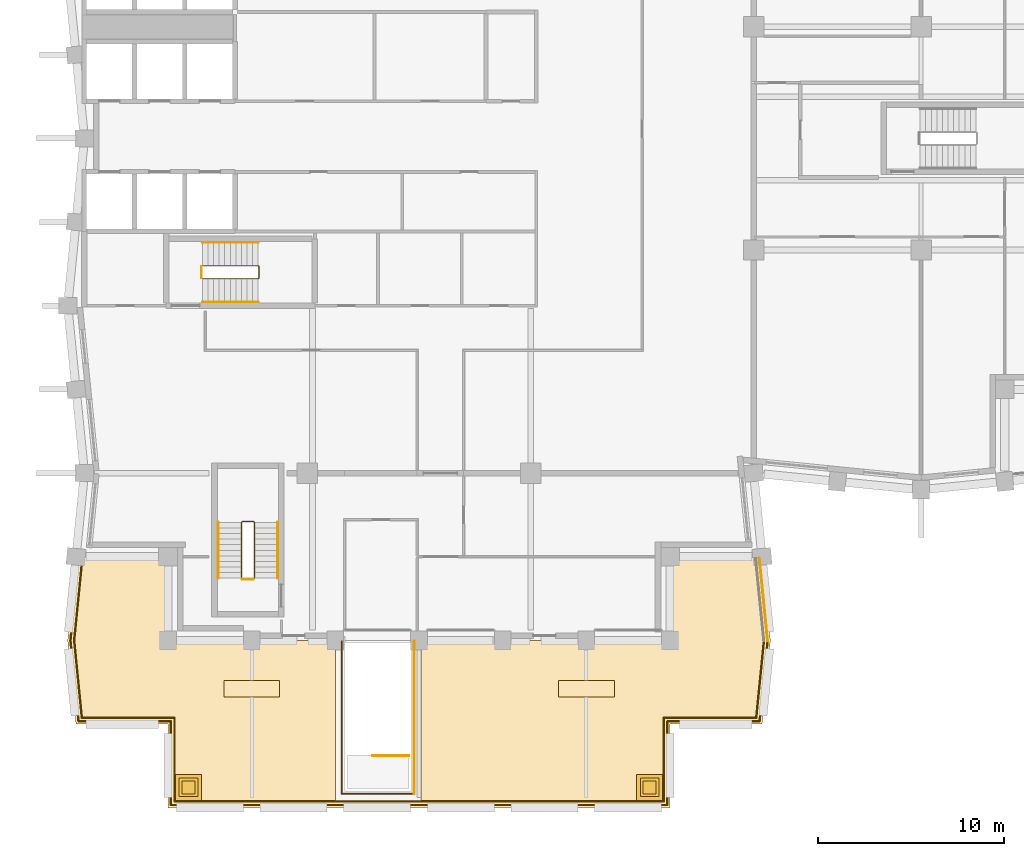
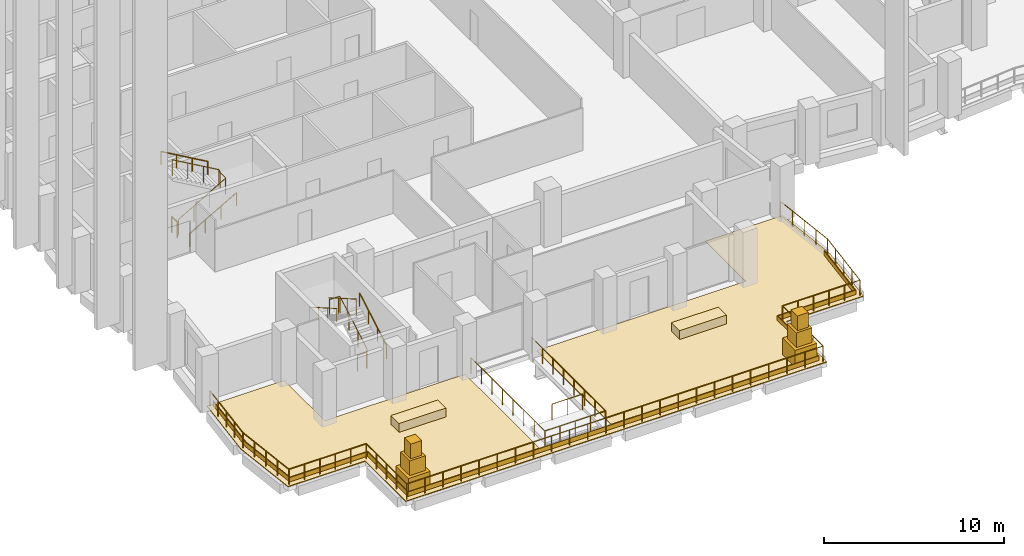
# One storey, part 16 of 19: 13 railings, 10 coverings.
"""IFC4 building model written with IfcOpenShell, lengths in metres."""

from ifc_helpers import new_model, si_unit, direction, frame, origin, origin_2d, place, context, subcontext, project, spatial, polyline, rectangle, circle, outline, extrude, material, layer, layer_set, type_object, element, save


model = new_model("IFC4")

# Units and contexts
model_context = context("Model", 3, precision=1e-05, world=origin(), true_north=direction((0.0, 1.0)))
body_context = subcontext(model_context, "Body", "Model", "MODEL_VIEW")
ifc_project = project(units=[si_unit("LENGTHUNIT", "METRE"), si_unit("AREAUNIT", "SQUARE_METRE"), si_unit("VOLUMEUNIT", "CUBIC_METRE"), si_unit("PLANEANGLEUNIT", "RADIAN"), si_unit("MASSUNIT", "GRAM", prefix="KILO")], contexts=[model_context])

# Site, building, storey
site_placement = place(None, origin())
site = spatial("IfcSite", under=ifc_project, at=site_placement, CompositionType="ELEMENT")
building_placement = place(site_placement, origin())
building = spatial("IfcBuilding", under=site, at=building_placement, Name="Brondeck Convention Tower", CompositionType="ELEMENT")
storey_placement = place(building_placement, frame((0.0, 0.0, 198.800048828125)))
storey = spatial("IfcBuildingStorey", under=building, at=storey_placement, Name="L48", CompositionType="ELEMENT", Elevation=198.800048828125)

# Railings
ifc_material_1 = material(Name="Steel S355, bronze painted", Category="steel")
railing_type_1 = type_object("IfcRailingType", Name="Guard, bronze steel rail and posts", PredefinedType="GUARDRAIL", material=ifc_material_1)
railing_1_placement = place(storey_placement, frame((17.75, 9.75, 0.0)))
element("IfcRailing", 1, at=railing_1_placement, inside=storey, type_object=railing_type_1, Name="ENV-S2-1-WRL1", PredefinedType="GUARDRAIL", context=body_context, shape_type="SweptSolid", body=[
    extrude(circle(Radius=0.02490234375, at=origin_2d()), frame((0.0, 0.0, 1.0751953125), z_axis=(-1.0, 0.0, 0.0), x_axis=(0.0, -1.0, 0.0)), (0.0, 0.0, 1.0), 3.89990234375),
    extrude(circle(Radius=0.02490234375, at=origin_2d()), frame((-3.89990234375, 0.0, 1.0751953125), z_axis=(0.0, 1.0, 0.0), x_axis=(-1.0, 0.0, 0.0)), (0.0, 0.0, 1.0), 8.199951171875),
    extrude(circle(Radius=0.02490234375, at=origin_2d()), origin(), (0.0, 0.0, 1.0), 1.050048828125),
    extrude(circle(Radius=0.02490234375, at=origin_2d()), frame((-0.97509765625, 0.0, 0.0)), (0.0, 0.0, 1.0), 1.050048828125),
    extrude(circle(Radius=0.02490234375, at=origin_2d()), frame((-1.949951171875, 0.0, 0.0)), (0.0, 0.0, 1.0), 1.050048828125),
    extrude(circle(Radius=0.02490234375, at=origin_2d()), frame((-2.9248046875, 0.0, 0.0)), (0.0, 0.0, 1.0), 1.050048828125),
    extrude(circle(Radius=0.02490234375, at=origin_2d()), frame((-3.89990234375, 0.0, 0.0)), (0.0, 0.0, 1.0), 1.050048828125),
    extrude(circle(Radius=0.02490234375, at=origin_2d()), frame((-3.89990234375, 1.17138671875, 0.0)), (0.0, 0.0, 1.0), 1.050048828125),
    extrude(circle(Radius=0.02490234375, at=origin_2d()), frame((-3.89990234375, 2.3427734375, 0.0)), (0.0, 0.0, 1.0), 1.050048828125),
    extrude(circle(Radius=0.02490234375, at=origin_2d()), frame((-3.89990234375, 3.51416015625, 0.0)), (0.0, 0.0, 1.0), 1.050048828125),
    extrude(circle(Radius=0.02490234375, at=origin_2d()), frame((-3.89990234375, 4.685791015625, 0.0)), (0.0, 0.0, 1.0), 1.050048828125),
    extrude(circle(Radius=0.02490234375, at=origin_2d()), frame((-3.89990234375, 5.857177734375, 0.0)), (0.0, 0.0, 1.0), 1.050048828125),
    extrude(circle(Radius=0.02490234375, at=origin_2d()), frame((-3.89990234375, 7.028564453125, 0.0)), (0.0, 0.0, 1.0), 1.050048828125),
    extrude(circle(Radius=0.02490234375, at=origin_2d()), frame((-3.89990234375, 8.199951171875, 0.0)), (0.0, 0.0, 1.0), 1.050048828125),
])
railing_2_placement = place(storey_placement, frame((17.75, 17.949951171875, 0.0)))
element("IfcRailing", 2, at=railing_2_placement, inside=storey, type_object=railing_type_1, Name="ENV-S2-1-WRL2", PredefinedType="GUARDRAIL", context=body_context, shape_type="SweptSolid", body=[
    extrude(circle(Radius=0.02490234375, at=origin_2d()), frame((0.0, 0.0, 1.0751953125), z_axis=(0.0, -1.0, 0.0), x_axis=(1.0, 0.0, 0.0)), (0.0, 0.0, 1.0), 8.199951171875),
    extrude(circle(Radius=0.02490234375, at=origin_2d()), origin(), (0.0, 0.0, 1.0), 1.050048828125),
    extrude(circle(Radius=0.02490234375, at=origin_2d()), frame((0.0, -1.17138671875, 0.0)), (0.0, 0.0, 1.0), 1.050048828125),
    extrude(circle(Radius=0.02490234375, at=origin_2d()), frame((0.0, -2.3427734375, 0.0)), (0.0, 0.0, 1.0), 1.050048828125),
    extrude(circle(Radius=0.02490234375, at=origin_2d()), frame((0.0, -3.51416015625, 0.0)), (0.0, 0.0, 1.0), 1.050048828125),
    extrude(circle(Radius=0.02490234375, at=origin_2d()), frame((0.0, -4.685791015625, 0.0)), (0.0, 0.0, 1.0), 1.050048828125),
    extrude(circle(Radius=0.02490234375, at=origin_2d()), frame((0.0, -5.857177734375, 0.0)), (0.0, 0.0, 1.0), 1.050048828125),
    extrude(circle(Radius=0.02490234375, at=origin_2d()), frame((0.0, -7.028564453125, 0.0)), (0.0, 0.0, 1.0), 1.050048828125),
    extrude(circle(Radius=0.02490234375, at=origin_2d()), frame((0.0, -8.199951171875, 0.0)), (0.0, 0.0, 1.0), 1.050048828125),
])
railing_3_placement = place(storey_placement, frame((36.750732421875, 18.014892578125, 0.0)))
element("IfcRailing", 3, at=railing_3_placement, inside=storey, type_object=railing_type_1, Name="ENV-S2-1a-RL1", PredefinedType="GUARDRAIL", context=body_context, shape_type="SweptSolid", body=[
    extrude(circle(Radius=0.02490234375, at=origin_2d()), frame((0.0, 0.0, 1.0751953125), z_axis=(-0.09950922931, -0.995036639166, 0.0), x_axis=(0.995036639166, -0.09950922931, 0.0)), (0.0, 0.0, 1.0), 4.38671875),
    extrude(circle(Radius=0.02490234375, at=origin_2d()), frame((-0.4365234375, -4.364990234375, 1.0751953125), z_axis=(-1.0, 0.0, 0.0), x_axis=(0.0, -1.0, 0.0)), (0.0, 0.0, 1.0), 4.964111328125),
    extrude(circle(Radius=0.02490234375, at=origin_2d()), frame((-5.400634765625, -4.364990234375, 1.0751953125), z_axis=(0.0, -1.0, 0.0), x_axis=(1.0, 0.0, 0.0)), (0.0, 0.0, 1.0), 4.5),
    extrude(circle(Radius=0.02490234375, at=origin_2d()), frame((-5.400634765625, -8.864990234375, 1.0751953125), z_axis=(-1.0, 0.0, 0.0), x_axis=(0.0, -1.0, 0.0)), (0.0, 0.0, 1.0), 26.7001953125),
    extrude(circle(Radius=0.02490234375, at=origin_2d()), frame((-32.100830078125, -8.864990234375, 1.0751953125), z_axis=(0.0, 1.0, 0.0), x_axis=(-1.0, 0.0, 0.0)), (0.0, 0.0, 1.0), 4.5),
    extrude(circle(Radius=0.02490234375, at=origin_2d()), frame((-32.100830078125, -4.364990234375, 1.0751953125), z_axis=(-1.0, 0.0, 0.0), x_axis=(0.0, -1.0, 0.0)), (0.0, 0.0, 1.0), 4.964111328125),
    extrude(circle(Radius=0.02490234375, at=origin_2d()), frame((-37.06494140625, -4.364990234375, 1.0751953125), z_axis=(-0.099514777318, 0.995036084318, 0.0), x_axis=(-0.995036084318, -0.099514777318, 0.0)), (0.0, 0.0, 1.0), 4.371826171875),
    extrude(circle(Radius=0.02490234375, at=origin_2d()), frame((-37.5, -0.014892578125, 1.0751953125), z_axis=(0.099519987798, 0.995035563198, 0.0), x_axis=(-0.995035563198, 0.099519987798, 0.0)), (0.0, 0.0, 1.0), 4.45751953125),
    extrude(circle(Radius=0.02490234375, at=origin_2d()), origin(), (0.0, 0.0, 1.0), 1.050048828125),
    extrude(circle(Radius=0.02490234375, at=origin_2d()), frame((-0.109130859375, -1.09130859375, 0.0)), (0.0, 0.0, 1.0), 1.050048828125),
    extrude(circle(Radius=0.02490234375, at=origin_2d()), frame((-0.21826171875, -2.1826171875, 0.0)), (0.0, 0.0, 1.0), 1.050048828125),
    extrude(circle(Radius=0.02490234375, at=origin_2d()), frame((-0.327392578125, -3.273681640625, 0.0)), (0.0, 0.0, 1.0), 1.050048828125),
    extrude(circle(Radius=0.02490234375, at=origin_2d()), frame((-0.4365234375, -4.364990234375, 0.0)), (0.0, 0.0, 1.0), 1.050048828125),
    extrude(circle(Radius=0.02490234375, at=origin_2d()), frame((-1.429443359375, -4.364990234375, 0.0)), (0.0, 0.0, 1.0), 1.050048828125),
    extrude(circle(Radius=0.02490234375, at=origin_2d()), frame((-2.422119140625, -4.364990234375, 0.0)), (0.0, 0.0, 1.0), 1.050048828125),
    extrude(circle(Radius=0.02490234375, at=origin_2d()), frame((-3.4150390625, -4.364990234375, 0.0)), (0.0, 0.0, 1.0), 1.050048828125),
    extrude(circle(Radius=0.02490234375, at=origin_2d()), frame((-4.40771484375, -4.364990234375, 0.0)), (0.0, 0.0, 1.0), 1.050048828125),
    extrude(circle(Radius=0.02490234375, at=origin_2d()), frame((-5.400634765625, -4.364990234375, 0.0)), (0.0, 0.0, 1.0), 1.050048828125),
    extrude(circle(Radius=0.02490234375, at=origin_2d()), frame((-5.400634765625, -5.489990234375, 0.0)), (0.0, 0.0, 1.0), 1.050048828125),
    extrude(circle(Radius=0.02490234375, at=origin_2d()), frame((-5.400634765625, -6.614990234375, 0.0)), (0.0, 0.0, 1.0), 1.050048828125),
    extrude(circle(Radius=0.02490234375, at=origin_2d()), frame((-5.400634765625, -7.739990234375, 0.0)), (0.0, 0.0, 1.0), 1.050048828125),
    extrude(circle(Radius=0.02490234375, at=origin_2d()), frame((-5.400634765625, -8.864990234375, 0.0)), (0.0, 0.0, 1.0), 1.050048828125),
    extrude(circle(Radius=0.02490234375, at=origin_2d()), frame((-6.5615234375, -8.864990234375, 0.0)), (0.0, 0.0, 1.0), 1.050048828125),
    extrude(circle(Radius=0.02490234375, at=origin_2d()), frame((-7.722412109375, -8.864990234375, 0.0)), (0.0, 0.0, 1.0), 1.050048828125),
    extrude(circle(Radius=0.02490234375, at=origin_2d()), frame((-8.88330078125, -8.864990234375, 0.0)), (0.0, 0.0, 1.0), 1.050048828125),
    extrude(circle(Radius=0.02490234375, at=origin_2d()), frame((-10.044189453125, -8.864990234375, 0.0)), (0.0, 0.0, 1.0), 1.050048828125),
    extrude(circle(Radius=0.02490234375, at=origin_2d()), frame((-11.205078125, -8.864990234375, 0.0)), (0.0, 0.0, 1.0), 1.050048828125),
    extrude(circle(Radius=0.02490234375, at=origin_2d()), frame((-12.365966796875, -8.864990234375, 0.0)), (0.0, 0.0, 1.0), 1.050048828125),
    extrude(circle(Radius=0.02490234375, at=origin_2d()), frame((-13.52685546875, -8.864990234375, 0.0)), (0.0, 0.0, 1.0), 1.050048828125),
    extrude(circle(Radius=0.02490234375, at=origin_2d()), frame((-14.687744140625, -8.864990234375, 0.0)), (0.0, 0.0, 1.0), 1.050048828125),
    extrude(circle(Radius=0.02490234375, at=origin_2d()), frame((-15.8486328125, -8.864990234375, 0.0)), (0.0, 0.0, 1.0), 1.050048828125),
    extrude(circle(Radius=0.02490234375, at=origin_2d()), frame((-17.009521484375, -8.864990234375, 0.0)), (0.0, 0.0, 1.0), 1.050048828125),
    extrude(circle(Radius=0.02490234375, at=origin_2d()), frame((-18.17041015625, -8.864990234375, 0.0)), (0.0, 0.0, 1.0), 1.050048828125),
    extrude(circle(Radius=0.02490234375, at=origin_2d()), frame((-19.3310546875, -8.864990234375, 0.0)), (0.0, 0.0, 1.0), 1.050048828125),
    extrude(circle(Radius=0.02490234375, at=origin_2d()), frame((-20.491943359375, -8.864990234375, 0.0)), (0.0, 0.0, 1.0), 1.050048828125),
    extrude(circle(Radius=0.02490234375, at=origin_2d()), frame((-21.65283203125, -8.864990234375, 0.0)), (0.0, 0.0, 1.0), 1.050048828125),
    extrude(circle(Radius=0.02490234375, at=origin_2d()), frame((-22.813720703125, -8.864990234375, 0.0)), (0.0, 0.0, 1.0), 1.050048828125),
    extrude(circle(Radius=0.02490234375, at=origin_2d()), frame((-23.974609375, -8.864990234375, 0.0)), (0.0, 0.0, 1.0), 1.050048828125),
    extrude(circle(Radius=0.02490234375, at=origin_2d()), frame((-25.135498046875, -8.864990234375, 0.0)), (0.0, 0.0, 1.0), 1.050048828125),
    extrude(circle(Radius=0.02490234375, at=origin_2d()), frame((-26.29638671875, -8.864990234375, 0.0)), (0.0, 0.0, 1.0), 1.050048828125),
    extrude(circle(Radius=0.02490234375, at=origin_2d()), frame((-27.457275390625, -8.864990234375, 0.0)), (0.0, 0.0, 1.0), 1.050048828125),
    extrude(circle(Radius=0.02490234375, at=origin_2d()), frame((-28.6181640625, -8.864990234375, 0.0)), (0.0, 0.0, 1.0), 1.050048828125),
    extrude(circle(Radius=0.02490234375, at=origin_2d()), frame((-29.779052734375, -8.864990234375, 0.0)), (0.0, 0.0, 1.0), 1.050048828125),
    extrude(circle(Radius=0.02490234375, at=origin_2d()), frame((-30.93994140625, -8.864990234375, 0.0)), (0.0, 0.0, 1.0), 1.050048828125),
    extrude(circle(Radius=0.02490234375, at=origin_2d()), frame((-32.100830078125, -8.864990234375, 0.0)), (0.0, 0.0, 1.0), 1.050048828125),
    extrude(circle(Radius=0.02490234375, at=origin_2d()), frame((-32.100830078125, -7.739990234375, 0.0)), (0.0, 0.0, 1.0), 1.050048828125),
    extrude(circle(Radius=0.02490234375, at=origin_2d()), frame((-32.100830078125, -6.614990234375, 0.0)), (0.0, 0.0, 1.0), 1.050048828125),
    extrude(circle(Radius=0.02490234375, at=origin_2d()), frame((-32.100830078125, -5.489990234375, 0.0)), (0.0, 0.0, 1.0), 1.050048828125),
    extrude(circle(Radius=0.02490234375, at=origin_2d()), frame((-32.100830078125, -4.364990234375, 0.0)), (0.0, 0.0, 1.0), 1.050048828125),
    extrude(circle(Radius=0.02490234375, at=origin_2d()), frame((-33.09375, -4.364990234375, 0.0)), (0.0, 0.0, 1.0), 1.050048828125),
    extrude(circle(Radius=0.02490234375, at=origin_2d()), frame((-34.08642578125, -4.364990234375, 0.0)), (0.0, 0.0, 1.0), 1.050048828125),
    extrude(circle(Radius=0.02490234375, at=origin_2d()), frame((-35.079345703125, -4.364990234375, 0.0)), (0.0, 0.0, 1.0), 1.050048828125),
    extrude(circle(Radius=0.02490234375, at=origin_2d()), frame((-36.072021484375, -4.364990234375, 0.0)), (0.0, 0.0, 1.0), 1.050048828125),
    extrude(circle(Radius=0.02490234375, at=origin_2d()), frame((-37.06494140625, -4.364990234375, 0.0)), (0.0, 0.0, 1.0), 1.050048828125),
    extrude(circle(Radius=0.02490234375, at=origin_2d()), frame((-37.173828125, -3.27734375, 0.0)), (0.0, 0.0, 1.0), 1.050048828125),
    extrude(circle(Radius=0.02490234375, at=origin_2d()), frame((-37.282470703125, -2.18994140625, 0.0)), (0.0, 0.0, 1.0), 1.050048828125),
    extrude(circle(Radius=0.02490234375, at=origin_2d()), frame((-37.39111328125, -1.1025390625, 0.0)), (0.0, 0.0, 1.0), 1.050048828125),
    extrude(circle(Radius=0.02490234375, at=origin_2d()), frame((-37.5, -0.014892578125, 0.0)), (0.0, 0.0, 1.0), 1.050048828125),
    extrude(circle(Radius=0.02490234375, at=origin_2d()), frame((-37.38916015625, 1.093994140625, 0.0)), (0.0, 0.0, 1.0), 1.050048828125),
    extrude(circle(Radius=0.02490234375, at=origin_2d()), frame((-37.2783203125, 2.20263671875, 0.0)), (0.0, 0.0, 1.0), 1.050048828125),
    extrude(circle(Radius=0.02490234375, at=origin_2d()), frame((-37.167236328125, 3.3115234375, 0.0)), (0.0, 0.0, 1.0), 1.050048828125),
    extrude(circle(Radius=0.02490234375, at=origin_2d()), frame((-37.056396484375, 4.42041015625, 0.0)), (0.0, 0.0, 1.0), 1.050048828125),
])
railing_4_placement = place(storey_placement, frame((36.3056640625, 22.435302734375, 0.0)))
element("IfcRailing", 4, at=railing_4_placement, inside=storey, type_object=railing_type_1, Name="ENV-S2-1b-RL1", PredefinedType="GUARDRAIL", context=body_context, shape_type="SweptSolid", body=[
    extrude(circle(Radius=0.02490234375, at=origin_2d()), frame((0.0, 0.0, 1.0751953125), z_axis=(0.099514528586, -0.995036109194, 0.0), x_axis=(0.995036109194, 0.099514528586, 0.0)), (0.0, 0.0, 1.0), 4.472412109375),
    extrude(circle(Radius=0.02490234375, at=origin_2d()), origin(), (0.0, 0.0, 1.0), 1.050048828125),
    extrude(circle(Radius=0.02490234375, at=origin_2d()), frame((0.111328125, -1.112548828125, 0.0)), (0.0, 0.0, 1.0), 1.050048828125),
    extrude(circle(Radius=0.02490234375, at=origin_2d()), frame((0.22265625, -2.22509765625, 0.0)), (0.0, 0.0, 1.0), 1.050048828125),
    extrude(circle(Radius=0.02490234375, at=origin_2d()), frame((0.333740234375, -3.337646484375, 0.0)), (0.0, 0.0, 1.0), 1.050048828125),
    extrude(circle(Radius=0.02490234375, at=origin_2d()), frame((0.445068359375, -4.4501953125, 0.0)), (0.0, 0.0, 1.0), 1.050048828125),
])

# Coverings
ifc_material_2 = material(Name="Aluminium, bronze anodised planter with soil", Category="aluminium")
ifc_layer_1 = layer(ifc_material_2, 0.199951171875)
ifc_layer_set_1 = layer_set([ifc_layer_1], Name="Roof planter")
covering_type_1 = type_object("IfcCoveringType", Name="Roof planter", PredefinedType="USERDEFINED", material=ifc_layer_set_1)
for number, where, z_axis, x_axis, name in (
    (5, (9.0, 15.39990234375, 0.0498046875), (0.0, 0.0, 1.0), (1.0, 0.0, 0.0), "ENV-S2-1-PL01"),
    (6, (27.0, 15.39990234375, 0.0498046875), (0.0, 0.0, 1.0), (1.0, 0.0, 0.0), "ENV-S2-1-PL02"),
):
    element("IfcCovering", number, at=place(storey_placement, frame(where, z_axis=z_axis, x_axis=x_axis)), inside=storey, type_object=covering_type_1, Name=name, ObjectType="PLANTER", PredefinedType="USERDEFINED", context=body_context, shape_type="SweptSolid", body=[
        extrude(rectangle(XDim=3.0, YDim=0.89990234375, at=origin_2d()), origin(), (0.0, 0.0, 1.0), 0.60009765625),
    ])
ifc_material_3 = material(Name="Aluminium, bronze anodised", Category="aluminium")
ifc_layer_2 = layer(ifc_material_3, 0.050048828125)
ifc_layer_set_2 = layer_set([ifc_layer_2], Name="Snow retention bar")
covering_type_2 = type_object("IfcCoveringType", Name="Snow retention bar", PredefinedType="MOLDING", material=ifc_layer_set_2)
covering_1_placement = place(storey_placement, frame((0.0, 0.0, 0.050048828125)))
element("IfcCovering", 7, at=covering_1_placement, inside=storey, type_object=covering_type_2, Name="ENV-S2-1a-SR1", PredefinedType="MOLDING", context=body_context, shape_type="SweptSolid", body=[
    extrude(outline(polyline([(36.156005859375, 13.824951171875), (36.57666015625, 18.0322265625), (36.52685546875, 18.037353515625), (36.110595703125, 13.875), (31.125, 13.875), (31.125, 9.375), (4.875, 9.375), (4.875, 13.875), (-0.110595703125, 13.875), (-0.523193359375, 18.0), (-0.081787109375, 22.4130859375), (-0.131591796875, 22.41796875), (-0.573486328125, 18.0), (-0.156005859375, 13.824951171875), (4.824951171875, 13.824951171875), (4.824951171875, 9.324951171875), (31.175048828125, 9.324951171875), (31.175048828125, 13.824951171875), (36.156005859375, 13.824951171875)])), origin(), (0.0, 0.0, 1.0), 0.2998046875),
])

# Railings
ifc_material_4 = material(Name="Steel S355", Category="steel")
railing_type_2 = type_object("IfcRailingType", Name="Stair guard 1100", PredefinedType="GUARDRAIL", material=ifc_material_4)
railing_5_placement = place(storey_placement, frame((6.35009765625, 37.449951171875, 0.172607421875)))
element("IfcRailing", 8, at=railing_5_placement, inside=storey, type_object=railing_type_2, Name="L48 ST-1 stair guard 1", PredefinedType="GUARDRAIL", context=body_context, shape_type="SweptSolid", body=[
    extrude(circle(Radius=0.02392578125, at=origin_2d()), frame((0.0, 0.0, 1.076171875), z_axis=(0.866619684472, 0.0, 0.498969260062), x_axis=(0.0, 1.0, 0.0)), (0.0, 0.0, 1.0), 3.461669921875),
    extrude(circle(Radius=0.02392578125, at=origin_2d()), frame((3.0, 0.0, 2.80322265625), z_axis=(0.705375805398, 0.708833529934, 0.0), x_axis=(-0.708833529934, 0.705375805398, 0.0)), (0.0, 0.0, 1.0), 0.070556640625),
    extrude(circle(Radius=0.02392578125, at=origin_2d()), frame((3.0498046875, 0.050048828125, 2.80322265625), z_axis=(0.0, 1.0, 0.0), x_axis=(-1.0, 0.0, 0.0)), (0.0, 0.0, 1.0), 0.60009765625),
    extrude(circle(Radius=0.02392578125, at=origin_2d()), frame((3.0498046875, 0.650146484375, 2.80322265625), z_axis=(-0.266832911964, 0.266832911964, 0.926067165051), x_axis=(-0.707106781187, -0.707106781187, 0.0)), (0.0, 0.0, 1.0), 0.186767578125),
    extrude(circle(Radius=0.02392578125, at=origin_2d()), frame((3.0, 0.699951171875, 2.97607421875), z_axis=(-0.866619684472, 0.0, 0.498969260062), x_axis=(0.0, -1.0, 0.0)), (0.0, 0.0, 1.0), 3.461669921875),
    extrude(circle(Radius=0.02099609375, at=origin_2d()), origin(), (0.0, 0.0, 1.0), 1.052001953125),
    extrude(circle(Radius=0.02099609375, at=origin_2d()), frame((1.0, 0.0, 0.57568359375)), (0.0, 0.0, 1.0), 1.052001953125),
    extrude(circle(Radius=0.02099609375, at=origin_2d()), frame((2.0, 0.0, 1.151611328125)), (0.0, 0.0, 1.0), 1.052001953125),
    extrude(circle(Radius=0.02099609375, at=origin_2d()), frame((3.0, 0.0, 1.727294921875)), (0.0, 0.0, 1.0), 1.052001953125),
    extrude(circle(Radius=0.02099609375, at=origin_2d()), frame((3.0498046875, 0.050048828125, 1.727294921875)), (0.0, 0.0, 1.0), 1.052001953125),
    extrude(circle(Radius=0.02099609375, at=origin_2d()), frame((3.0498046875, 0.650146484375, 1.727294921875)), (0.0, 0.0, 1.0), 1.052001953125),
    extrude(circle(Radius=0.02099609375, at=origin_2d()), frame((3.0, 0.699951171875, 1.900146484375)), (0.0, 0.0, 1.0), 1.052001953125),
    extrude(circle(Radius=0.02099609375, at=origin_2d()), frame((2.0, 0.699951171875, 2.475830078125)), (0.0, 0.0, 1.0), 1.052001953125),
    extrude(circle(Radius=0.02099609375, at=origin_2d()), frame((1.0, 0.699951171875, 3.0517578125)), (0.0, 0.0, 1.0), 1.052001953125),
    extrude(circle(Radius=0.02099609375, at=origin_2d()), frame((0.0, 0.699951171875, 3.62744140625)), (0.0, 0.0, 1.0), 1.052001953125),
])
railing_6_placement = place(storey_placement, frame((6.300048828125, 37.5, 0.0)))
element("IfcRailing", 9, at=railing_6_placement, inside=storey, type_object=railing_type_2, Name="L48 ST-1 stair guard 2", PredefinedType="GUARDRAIL", context=body_context, shape_type="SweptSolid", body=[
    extrude(circle(Radius=0.02392578125, at=origin_2d()), frame((0.0, 0.0, 1.076171875), z_axis=(0.0, 1.0, 0.0), x_axis=(-1.0, 0.0, 0.0)), (0.0, 0.0, 1.0), 0.60009765625),
    extrude(circle(Radius=0.02099609375, at=origin_2d()), origin(), (0.0, 0.0, 1.0), 1.052001953125),
    extrude(circle(Radius=0.02099609375, at=origin_2d()), frame((0.0, 0.60009765625, 0.0)), (0.0, 0.0, 1.0), 1.052001953125),
])
railing_7_placement = place(storey_placement, frame((9.14990234375, 21.35009765625, 0.172607421875)))
element("IfcRailing", 10, at=railing_7_placement, inside=storey, type_object=railing_type_2, Name="L48 ST-BE stair guard 1", PredefinedType="GUARDRAIL", context=body_context, shape_type="SweptSolid", body=[
    extrude(circle(Radius=0.02392578125, at=origin_2d()), frame((0.0, 0.0, 1.076171875), z_axis=(0.0, 0.866619684472, 0.498969260062), x_axis=(-1.0, 0.0, 0.0)), (0.0, 0.0, 1.0), 3.461669921875),
    extrude(circle(Radius=0.02392578125, at=origin_2d()), frame((0.0, 3.0, 2.80322265625), z_axis=(-0.707106781187, 0.707106781187, 0.0), x_axis=(-0.707106781187, -0.707106781187, 0.0)), (0.0, 0.0, 1.0), 0.0703125),
    extrude(circle(Radius=0.02392578125, at=origin_2d()), frame((-0.0498046875, 3.0498046875, 2.80322265625), z_axis=(-1.0, 0.0, 0.0), x_axis=(0.0, -1.0, 0.0)), (0.0, 0.0, 1.0), 0.60009765625),
    extrude(circle(Radius=0.02392578125, at=origin_2d()), frame((-0.64990234375, 3.0498046875, 2.80322265625), z_axis=(-0.268047150085, -0.266739603011, 0.925743328097), x_axis=(0.705375805398, -0.708833529934, 0.0)), (0.0, 0.0, 1.0), 0.186767578125),
    extrude(circle(Radius=0.02392578125, at=origin_2d()), frame((-0.699951171875, 3.0, 2.97607421875), z_axis=(0.0, -0.866619684472, 0.498969260062), x_axis=(1.0, 0.0, 0.0)), (0.0, 0.0, 1.0), 3.461669921875),
    extrude(circle(Radius=0.02099609375, at=origin_2d()), origin(), (0.0, 0.0, 1.0), 1.052001953125),
    extrude(circle(Radius=0.02099609375, at=origin_2d()), frame((0.0, 1.0, 0.57568359375)), (0.0, 0.0, 1.0), 1.052001953125),
    extrude(circle(Radius=0.02099609375, at=origin_2d()), frame((0.0, 2.0, 1.151611328125)), (0.0, 0.0, 1.0), 1.052001953125),
    extrude(circle(Radius=0.02099609375, at=origin_2d()), frame((0.0, 3.0, 1.727294921875)), (0.0, 0.0, 1.0), 1.052001953125),
    extrude(circle(Radius=0.02099609375, at=origin_2d()), frame((-0.0498046875, 3.0498046875, 1.727294921875)), (0.0, 0.0, 1.0), 1.052001953125),
    extrude(circle(Radius=0.02099609375, at=origin_2d()), frame((-0.64990234375, 3.0498046875, 1.727294921875)), (0.0, 0.0, 1.0), 1.052001953125),
    extrude(circle(Radius=0.02099609375, at=origin_2d()), frame((-0.699951171875, 3.0, 1.900146484375)), (0.0, 0.0, 1.0), 1.052001953125),
    extrude(circle(Radius=0.02099609375, at=origin_2d()), frame((-0.699951171875, 2.0, 2.475830078125)), (0.0, 0.0, 1.0), 1.052001953125),
    extrude(circle(Radius=0.02099609375, at=origin_2d()), frame((-0.699951171875, 1.0, 3.0517578125)), (0.0, 0.0, 1.0), 1.052001953125),
    extrude(circle(Radius=0.02099609375, at=origin_2d()), frame((-0.699951171875, 0.0, 3.62744140625)), (0.0, 0.0, 1.0), 1.052001953125),
])
railing_8_placement = place(storey_placement, frame((9.10009765625, 21.300048828125, 0.0)))
element("IfcRailing", 11, at=railing_8_placement, inside=storey, type_object=railing_type_2, Name="L48 ST-BE stair guard 2", PredefinedType="GUARDRAIL", context=body_context, shape_type="SweptSolid", body=[
    extrude(circle(Radius=0.02392578125, at=origin_2d()), frame((0.0, 0.0, 1.076171875), z_axis=(-1.0, 0.0, 0.0), x_axis=(0.0, -1.0, 0.0)), (0.0, 0.0, 1.0), 0.60009765625),
    extrude(circle(Radius=0.02099609375, at=origin_2d()), origin(), (0.0, 0.0, 1.0), 1.052001953125),
    extrude(circle(Radius=0.02099609375, at=origin_2d()), frame((-0.60009765625, 0.0, 0.0)), (0.0, 0.0, 1.0), 1.052001953125),
])
railing_9_placement = place(storey_placement, frame((17.449951171875, 11.800048828125, 0.0)))
element("IfcRailing", 12, at=railing_9_placement, inside=storey, type_object=railing_type_2, Name="L48 ST-BF top well guard 1", PredefinedType="GUARDRAIL", context=body_context, shape_type="SweptSolid", body=[
    extrude(circle(Radius=0.02392578125, at=origin_2d()), frame((0.0, 0.0, 1.076171875), z_axis=(-1.0, 0.0, 0.0), x_axis=(0.0, -1.0, 0.0)), (0.0, 0.0, 1.0), 1.949951171875),
    extrude(circle(Radius=0.02099609375, at=origin_2d()), origin(), (0.0, 0.0, 1.0), 1.052001953125),
    extrude(circle(Radius=0.02099609375, at=origin_2d()), frame((-0.97509765625, 0.0, 0.0)), (0.0, 0.0, 1.0), 1.052001953125),
    extrude(circle(Radius=0.02099609375, at=origin_2d()), frame((-1.949951171875, 0.0, 0.0)), (0.0, 0.0, 1.0), 1.052001953125),
])
railing_type_3 = type_object("IfcRailingType", Name="Stair handrail", PredefinedType="HANDRAIL", material=ifc_material_4)
railing_10_placement = place(storey_placement, frame((6.35009765625, 36.199951171875, 0.172607421875)))
element("IfcRailing", 13, at=railing_10_placement, inside=storey, type_object=railing_type_3, Name="L48 ST-1 stair handrail 1", PredefinedType="HANDRAIL", context=body_context, shape_type="SweptSolid", body=[
    extrude(circle(Radius=0.02392578125, at=origin_2d()), frame((0.0, 0.0, 0.8759765625), z_axis=(0.866619684472, 0.0, 0.498969260062), x_axis=(0.0, 1.0, 0.0)), (0.0, 0.0, 1.0), 3.461669921875),
    extrude(circle(Radius=0.02099609375, at=origin_2d()), origin(), (0.0, 0.0, 1.0), 0.851806640625),
    extrude(circle(Radius=0.02099609375, at=origin_2d()), frame((1.0, 0.0, 0.57568359375)), (0.0, 0.0, 1.0), 0.851806640625),
    extrude(circle(Radius=0.02099609375, at=origin_2d()), frame((2.0, 0.0, 1.151611328125)), (0.0, 0.0, 1.0), 0.851806640625),
    extrude(circle(Radius=0.02099609375, at=origin_2d()), frame((3.0, 0.0, 1.727294921875)), (0.0, 0.0, 1.0), 0.851806640625),
])
railing_11_placement = place(storey_placement, frame((9.35009765625, 39.39990234375, 2.07275390625)))
element("IfcRailing", 14, at=railing_11_placement, inside=storey, type_object=railing_type_3, Name="L48 ST-1 stair handrail 2", PredefinedType="HANDRAIL", context=body_context, shape_type="SweptSolid", body=[
    extrude(circle(Radius=0.02392578125, at=origin_2d()), frame((0.0, 0.0, 0.8759765625), z_axis=(-0.866619684472, 0.0, 0.498969260062), x_axis=(0.0, -1.0, 0.0)), (0.0, 0.0, 1.0), 3.461669921875),
    extrude(circle(Radius=0.02099609375, at=origin_2d()), origin(), (0.0, 0.0, 1.0), 0.851806640625),
    extrude(circle(Radius=0.02099609375, at=origin_2d()), frame((-1.0, 0.0, 0.57568359375)), (0.0, 0.0, 1.0), 0.851806640625),
    extrude(circle(Radius=0.02099609375, at=origin_2d()), frame((-2.0, 0.0, 1.151611328125)), (0.0, 0.0, 1.0), 0.851806640625),
    extrude(circle(Radius=0.02099609375, at=origin_2d()), frame((-3.0, 0.0, 1.727294921875)), (0.0, 0.0, 1.0), 0.851806640625),
])
railing_12_placement = place(storey_placement, frame((10.39990234375, 21.35009765625, 0.172607421875)))
element("IfcRailing", 15, at=railing_12_placement, inside=storey, type_object=railing_type_3, Name="L48 ST-BE stair handrail 1", PredefinedType="HANDRAIL", context=body_context, shape_type="SweptSolid", body=[
    extrude(circle(Radius=0.02392578125, at=origin_2d()), frame((0.0, 0.0, 0.8759765625), z_axis=(0.0, 0.866619684472, 0.498969260062), x_axis=(-1.0, 0.0, 0.0)), (0.0, 0.0, 1.0), 3.461669921875),
    extrude(circle(Radius=0.02099609375, at=origin_2d()), origin(), (0.0, 0.0, 1.0), 0.851806640625),
    extrude(circle(Radius=0.02099609375, at=origin_2d()), frame((0.0, 1.0, 0.57568359375)), (0.0, 0.0, 1.0), 0.851806640625),
    extrude(circle(Radius=0.02099609375, at=origin_2d()), frame((0.0, 2.0, 1.151611328125)), (0.0, 0.0, 1.0), 0.851806640625),
    extrude(circle(Radius=0.02099609375, at=origin_2d()), frame((0.0, 3.0, 1.727294921875)), (0.0, 0.0, 1.0), 0.851806640625),
])
railing_13_placement = place(storey_placement, frame((7.199951171875, 24.35009765625, 2.07275390625)))
element("IfcRailing", 16, at=railing_13_placement, inside=storey, type_object=railing_type_3, Name="L48 ST-BE stair handrail 2", PredefinedType="HANDRAIL", context=body_context, shape_type="SweptSolid", body=[
    extrude(circle(Radius=0.02392578125, at=origin_2d()), frame((0.0, 0.0, 0.8759765625), z_axis=(0.0, -0.866619684472, 0.498969260062), x_axis=(1.0, 0.0, 0.0)), (0.0, 0.0, 1.0), 3.461669921875),
    extrude(circle(Radius=0.02099609375, at=origin_2d()), origin(), (0.0, 0.0, 1.0), 0.851806640625),
    extrude(circle(Radius=0.02099609375, at=origin_2d()), frame((0.0, -1.0, 0.57568359375)), (0.0, 0.0, 1.0), 0.851806640625),
    extrude(circle(Radius=0.02099609375, at=origin_2d()), frame((0.0, -2.0, 1.151611328125)), (0.0, 0.0, 1.0), 0.851806640625),
    extrude(circle(Radius=0.02099609375, at=origin_2d()), frame((0.0, -3.0, 1.727294921875)), (0.0, 0.0, 1.0), 0.851806640625),
])

# Coverings
ifc_material_5 = material(Name="Granite paving", Category="masonry")
ifc_layer_3 = layer(ifc_material_5, 0.050048828125)
ifc_layer_set_3 = layer_set([ifc_layer_3], Name="Terrace paving")
covering_type_3 = type_object("IfcCoveringType", Name="Terrace paving", PredefinedType="FLOORING", material=ifc_layer_set_3)
covering_2_placement = place(storey_placement, origin())
element("IfcCovering", 17, at=covering_2_placement, inside=storey, type_object=covering_type_3, Name="ENV-S2-1-PV1", PredefinedType="FLOORING", context=body_context, shape_type="SweptSolid", body=[
    extrude(outline(polyline([(36.449951171875, 13.5), (36.89990234375, 18.0), (36.449951171875, 22.5), (31.5, 22.5), (31.5, 18.0), (18.10009765625, 18.0), (18.10009765625, 9.39990234375), (13.5, 9.39990234375), (13.5, 18.0), (4.5, 18.0), (4.5, 22.5), (-0.449951171875, 22.5), (-0.89990234375, 18.0), (-0.449951171875, 13.5), (4.5, 13.5), (4.5, 9.0), (31.5, 9.0), (31.5, 13.5), (36.449951171875, 13.5)])), origin(), (0.0, 0.0, 1.0), 0.050048828125),
])
ifc_material_6 = material(Name="Precast concrete C50/60 bronze finish", Category="concrete")
ifc_layer_4 = layer(ifc_material_6, 1.39990234375)
ifc_layer_set_4 = layer_set([ifc_layer_4], Name="Terrace stepped finial, precast")
covering_type_4 = type_object("IfcCoveringType", Name="Terrace stepped finial, precast", PredefinedType="MOLDING", material=ifc_layer_set_4)
covering_3_placement = place(storey_placement, origin())
element("IfcCovering", 18, at=covering_3_placement, inside=storey, type_object=covering_type_4, Name="ENV-FT-S2-1-1-S1", PredefinedType="MOLDING", context=body_context, shape_type="SweptSolid", body=[
    extrude(outline(polyline([(6.300048828125, 9.39990234375), (6.300048828125, 10.800048828125), (4.89990234375, 10.800048828125), (4.89990234375, 9.39990234375), (6.300048828125, 9.39990234375)])), origin(), (0.0, 0.0, 1.0), 1.199951171875),
])
covering_4_placement = place(storey_placement, frame((0.0, 0.0, 1.199951171875)))
element("IfcCovering", 19, at=covering_4_placement, inside=storey, type_object=covering_type_4, Name="ENV-FT-S2-1-1-S2", PredefinedType="MOLDING", context=body_context, shape_type="SweptSolid", body=[
    extrude(outline(polyline([(6.10009765625, 9.60009765625), (6.10009765625, 10.60009765625), (5.10009765625, 10.60009765625), (5.10009765625, 9.60009765625), (6.10009765625, 9.60009765625)])), origin(), (0.0, 0.0, 1.0), 1.0),
])
covering_5_placement = place(storey_placement, frame((0.0, 0.0, 2.199951171875)))
element("IfcCovering", 20, at=covering_5_placement, inside=storey, type_object=covering_type_4, Name="ENV-FT-S2-1-1-S3", PredefinedType="MOLDING", context=body_context, shape_type="SweptSolid", body=[
    extrude(outline(polyline([(5.949951171875, 9.75), (5.949951171875, 10.449951171875), (5.25, 10.449951171875), (5.25, 9.75), (5.949951171875, 9.75)])), origin(), (0.0, 0.0, 1.0), 1.0),
])
covering_6_placement = place(storey_placement, origin())
element("IfcCovering", 21, at=covering_6_placement, inside=storey, type_object=covering_type_4, Name="ENV-FT-S2-1-2-S1", PredefinedType="MOLDING", context=body_context, shape_type="SweptSolid", body=[
    extrude(outline(polyline([(31.10009765625, 9.39990234375), (31.10009765625, 10.800048828125), (29.699951171875, 10.800048828125), (29.699951171875, 9.39990234375), (31.10009765625, 9.39990234375)])), origin(), (0.0, 0.0, 1.0), 1.199951171875),
])
covering_7_placement = place(storey_placement, frame((0.0, 0.0, 1.199951171875)))
element("IfcCovering", 22, at=covering_7_placement, inside=storey, type_object=covering_type_4, Name="ENV-FT-S2-1-2-S2", PredefinedType="MOLDING", context=body_context, shape_type="SweptSolid", body=[
    extrude(outline(polyline([(30.89990234375, 9.60009765625), (30.89990234375, 10.60009765625), (29.89990234375, 10.60009765625), (29.89990234375, 9.60009765625), (30.89990234375, 9.60009765625)])), origin(), (0.0, 0.0, 1.0), 1.0),
])
covering_8_placement = place(storey_placement, frame((0.0, 0.0, 2.199951171875)))
element("IfcCovering", 23, at=covering_8_placement, inside=storey, type_object=covering_type_4, Name="ENV-FT-S2-1-2-S3", PredefinedType="MOLDING", context=body_context, shape_type="SweptSolid", body=[
    extrude(outline(polyline([(30.75, 9.75), (30.75, 10.449951171875), (30.050048828125, 10.449951171875), (30.050048828125, 9.75), (30.75, 9.75)])), origin(), (0.0, 0.0, 1.0), 1.0),
])

save(model, "model.ifc")
